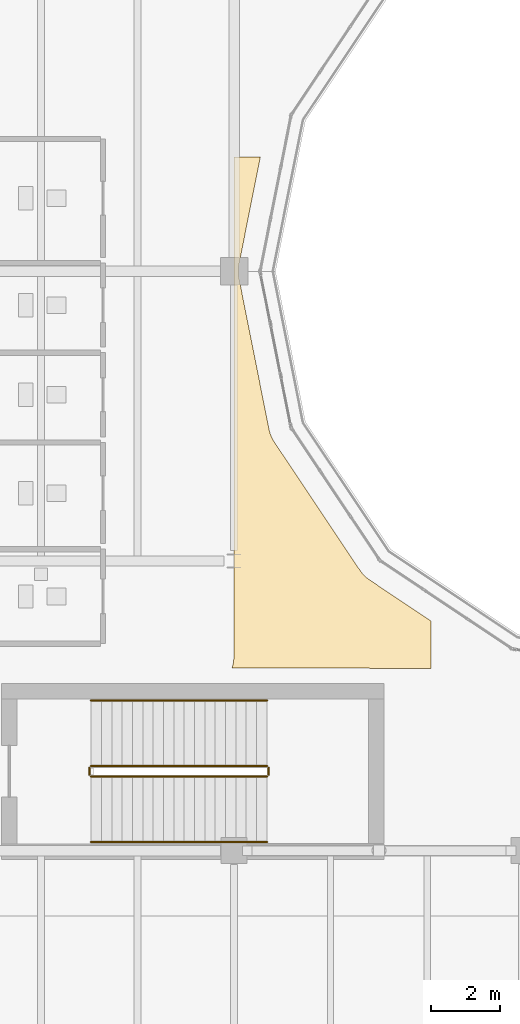
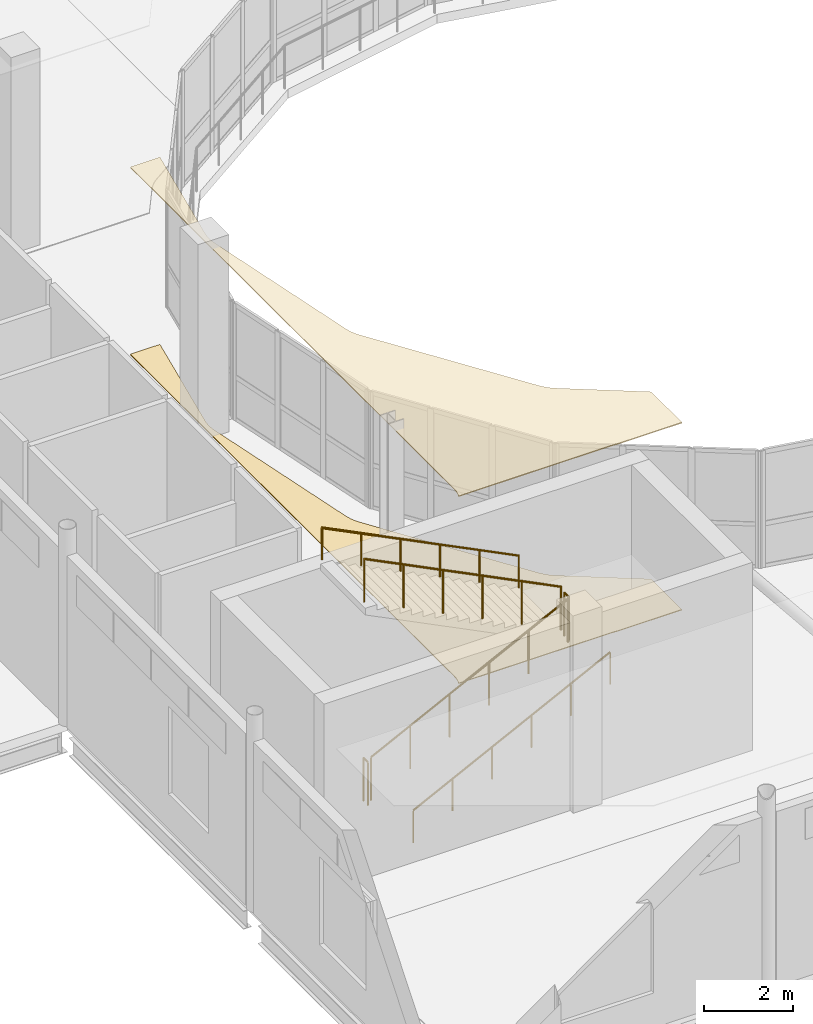
# One storey, part 87 of 110: 6 railings, 2 coverings.
"""IFC4 building model written with IfcOpenShell, lengths in metres."""

from ifc_helpers import new_model, si_unit, direction, frame, origin, origin_2d, place, context, subcontext, project, spatial, polyline, circle, outline, extrude, material, layer, layer_set, type_object, element, save


model = new_model("IFC4")

# Units and contexts
model_context = context("Model", 3, precision=1e-05, world=origin(), true_north=direction((0.0, 1.0)))
body_context = subcontext(model_context, "Body", "Model", "MODEL_VIEW")
ifc_project = project(units=[si_unit("LENGTHUNIT", "METRE"), si_unit("AREAUNIT", "SQUARE_METRE"), si_unit("VOLUMEUNIT", "CUBIC_METRE"), si_unit("PLANEANGLEUNIT", "RADIAN"), si_unit("MASSUNIT", "GRAM", prefix="KILO"), si_unit("THERMODYNAMICTEMPERATUREUNIT", "KELVIN")], contexts=[model_context])

# Site, building, storey
site_placement = place(None, origin())
site = spatial("IfcSite", under=ifc_project, at=site_placement, CompositionType="ELEMENT")
building_placement = place(site_placement, origin())
building = spatial("IfcBuilding", under=site, at=building_placement, Name="Lustrewick Department Store", CompositionType="ELEMENT")
storey_placement = place(building_placement, frame((0.0, 0.0, 6.0)))
storey = spatial("IfcBuildingStorey", under=building, at=storey_placement, Name="L02", CompositionType="ELEMENT", Elevation=6.0)

# Coverings
ifc_material_1 = material(Name="Perforated mineral-fibre acoustic ceiling board", Category="gypsum")
ifc_layer_1 = layer(ifc_material_1, 0.02490234375, Name="Perforated mineral-fibre acoustic ceiling board")
ifc_layer_set_1 = layer_set([ifc_layer_1], Name="Perforated mineral-fibre acoustic ceiling board")
covering_type_1 = type_object("IfcCoveringType", Name="COV-CEIL", PredefinedType="CEILING", material=ifc_layer_set_1)
covering_1_placement = place(storey_placement, frame((0.0, 0.0, 5.1201171875)))
element("IfcCovering", 1, at=covering_1_placement, inside=storey, type_object=covering_type_1, Name="L02 V1 Retail Merchandise Gallery 4 Acoustic Ceiling", PredefinedType="CEILING", context=body_context, shape_type="SweptSolid", body=[
    extrude(outline(polyline([(20.702880859375, 55.68994140625), (20.78759765625, 55.685791015625), (20.82666015625, 55.679931640625), (22.510009765625, 55.679931640625), (22.510009765625, 57.0576171875), (20.73828125, 58.241455078125), (20.705078125, 58.264892578125), (20.686767578125, 58.2783203125), (20.62109375, 58.332275390625), (20.603759765625, 58.34814453125), (20.548095703125, 58.40380859375), (20.5322265625, 58.421142578125), (20.478515625, 58.48681640625), (20.46484375, 58.5048828125), (20.44140625, 58.5380859375), (17.96923828125, 62.23828125), (17.94775390625, 62.272216796875), (17.936279296875, 62.29150390625), (17.896484375, 62.36572265625), (17.88623046875, 62.38720703125), (17.855224609375, 62.4619140625), (17.847412109375, 62.48388671875), (17.823486328125, 62.56298828125), (17.81787109375, 62.5849609375), (17.80859375, 62.625732421875), (16.9404296875, 66.990478515625), (16.93310546875, 67.0341796875), (16.9296875, 67.056396484375), (16.922119140625, 67.1337890625), (16.9208984375, 67.1572265625), (16.9208984375, 67.242919921875), (16.922119140625, 67.266357421875), (16.9296875, 67.343505859375), (16.93310546875, 67.36572265625), (16.9404296875, 67.40966796875), (17.55712890625, 70.510009765625), (16.7900390625, 70.510009765625), (16.7900390625, 55.9970703125), (16.785888671875, 55.912353515625), (16.773193359375, 55.828369140625), (16.772705078125, 55.824951171875), (16.768798828125, 55.8076171875), (16.768310546875, 55.80419921875), (16.74560546875, 55.721435546875), (16.7333984375, 55.68994140625), (20.702880859375, 55.68994140625)])), origin(), (0.0, 0.0, 1.0), 0.02490234375),
])
ifc_material_2 = material(Name="Polished terrazzo and porcelain floor finish", Category="masonry")
ifc_layer_2 = layer(ifc_material_2, 0.02001953125, Name="Polished terrazzo and porcelain floor finish")
ifc_layer_set_2 = layer_set([ifc_layer_2], Name="Polished terrazzo and porcelain floor finish")
covering_type_2 = type_object("IfcCoveringType", Name="COV-FLR", PredefinedType="FLOORING", material=ifc_layer_set_2)
covering_2_placement = place(storey_placement, origin())
element("IfcCovering", 2, at=covering_2_placement, inside=storey, type_object=covering_type_2, Name="L02 V1 Retail Merchandise Gallery 4 Terrazzo Flooring", PredefinedType="FLOORING", context=body_context, shape_type="SweptSolid", body=[
    extrude(outline(polyline([(20.702880859375, 55.68994140625), (20.78759765625, 55.685791015625), (20.82666015625, 55.679931640625), (22.510009765625, 55.679931640625), (22.510009765625, 57.0576171875), (20.73828125, 58.241455078125), (20.705078125, 58.264892578125), (20.686767578125, 58.2783203125), (20.62109375, 58.332275390625), (20.603759765625, 58.34814453125), (20.548095703125, 58.40380859375), (20.5322265625, 58.421142578125), (20.478515625, 58.48681640625), (20.46484375, 58.5048828125), (20.44140625, 58.5380859375), (17.96923828125, 62.23828125), (17.94775390625, 62.272216796875), (17.936279296875, 62.29150390625), (17.896484375, 62.36572265625), (17.88623046875, 62.38720703125), (17.855224609375, 62.4619140625), (17.847412109375, 62.48388671875), (17.823486328125, 62.56298828125), (17.81787109375, 62.5849609375), (17.80859375, 62.625732421875), (16.9404296875, 66.990478515625), (16.93310546875, 67.0341796875), (16.9296875, 67.056396484375), (16.922119140625, 67.1337890625), (16.9208984375, 67.1572265625), (16.9208984375, 67.242919921875), (16.922119140625, 67.266357421875), (16.9296875, 67.343505859375), (16.93310546875, 67.36572265625), (16.9404296875, 67.40966796875), (17.55712890625, 70.510009765625), (16.7900390625, 70.510009765625), (16.7900390625, 55.9970703125), (16.785888671875, 55.912353515625), (16.773193359375, 55.828369140625), (16.772705078125, 55.824951171875), (16.768798828125, 55.8076171875), (16.768310546875, 55.80419921875), (16.74560546875, 55.721435546875), (16.7333984375, 55.68994140625), (20.702880859375, 55.68994140625)])), origin(), (0.0, 0.0, 1.0), 0.02001953125),
])

# Railings
ifc_material_3 = material(Name="Painted tubular steel stairwell guardrail", Category="steel")
railing_type_1 = type_object("IfcRailingType", Name="RL-STG", PredefinedType="GUARDRAIL", material=ifc_material_3)
railing_1_placement = place(storey_placement, frame((12.64990234375, 52.550048828125, 0.14990234375)))
element("IfcRailing", 3, at=railing_1_placement, inside=storey, type_object=railing_type_1, Name="L02 ST01 Stair Guard 1", PredefinedType="GUARDRAIL", context=body_context, shape_type="SweptSolid", body=[
    extrude(circle(Radius=0.02392578125, at=origin_2d()), frame((0.0, 0.0, 1.17578125), z_axis=(0.894427191, 0.0, 0.4472135955), x_axis=(0.0, 1.0, 0.0)), (0.0, 0.0, 1.0), 5.7021484375),
    extrude(circle(Radius=0.02099609375, at=origin_2d()), origin(), (0.0, 0.0, 1.0), 1.15185546875),
    extrude(circle(Radius=0.02099609375, at=origin_2d()), frame((1.02001953125, 0.0, 0.510009765625)), (0.0, 0.0, 1.0), 1.15185546875),
    extrude(circle(Radius=0.02099609375, at=origin_2d()), frame((2.0400390625, 0.0, 1.02001953125)), (0.0, 0.0, 1.0), 1.15185546875),
    extrude(circle(Radius=0.02099609375, at=origin_2d()), frame((3.06005859375, 0.0, 1.530029296875)), (0.0, 0.0, 1.0), 1.15185546875),
    extrude(circle(Radius=0.02099609375, at=origin_2d()), frame((4.080078125, 0.0, 2.0400390625)), (0.0, 0.0, 1.0), 1.15185546875),
    extrude(circle(Radius=0.02099609375, at=origin_2d()), frame((5.10009765625, 0.0, 2.550048828125)), (0.0, 0.0, 1.0), 1.15185546875),
])
railing_2_placement = place(storey_placement, frame((17.800048828125, 52.60009765625, 2.699951171875)))
element("IfcRailing", 4, at=railing_2_placement, inside=storey, type_object=railing_type_1, Name="L02 ST01 Stair Guard 2", PredefinedType="GUARDRAIL", context=body_context, shape_type="SweptSolid", body=[
    extrude(circle(Radius=0.02392578125, at=origin_2d()), frame((0.0, 0.0, 1.17578125), z_axis=(0.0, 1.0, 0.0), x_axis=(-1.0, 0.0, 0.0)), (0.0, 0.0, 1.0), 0.199951171875),
    extrude(circle(Radius=0.02099609375, at=origin_2d()), origin(), (0.0, 0.0, 1.0), 1.15185546875),
    extrude(circle(Radius=0.02099609375, at=origin_2d()), frame((0.0, 0.199951171875, 0.0)), (0.0, 0.0, 1.0), 1.15185546875),
])
railing_3_placement = place(storey_placement, frame((17.75, 52.85009765625, 2.85009765625)))
element("IfcRailing", 5, at=railing_3_placement, inside=storey, type_object=railing_type_1, Name="L02 ST01 Stair Guard 3", PredefinedType="GUARDRAIL", context=body_context, shape_type="SweptSolid", body=[
    extrude(circle(Radius=0.02392578125, at=origin_2d()), frame((0.0, 0.0, 1.17578125), z_axis=(-0.89444431709, 0.0, 0.44717934168), x_axis=(0.0, -1.0, 0.0)), (0.0, 0.0, 1.0), 5.701904296875),
    extrude(circle(Radius=0.02099609375, at=origin_2d()), origin(), (0.0, 0.0, 1.0), 1.15185546875),
    extrude(circle(Radius=0.02099609375, at=origin_2d()), frame((-1.02001953125, 0.0, 0.510009765625)), (0.0, 0.0, 1.0), 1.15185546875),
    extrude(circle(Radius=0.02099609375, at=origin_2d()), frame((-2.0400390625, 0.0, 1.02001953125)), (0.0, 0.0, 1.0), 1.15185546875),
    extrude(circle(Radius=0.02099609375, at=origin_2d()), frame((-3.06005859375, 0.0, 1.52978515625)), (0.0, 0.0, 1.0), 1.15185546875),
    extrude(circle(Radius=0.02099609375, at=origin_2d()), frame((-4.080078125, 0.0, 2.039794921875)), (0.0, 0.0, 1.0), 1.15185546875),
    extrude(circle(Radius=0.02099609375, at=origin_2d()), frame((-5.10009765625, 0.0, 2.5498046875)), (0.0, 0.0, 1.0), 1.15185546875),
])
railing_4_placement = place(storey_placement, frame((12.60009765625, 52.60009765625, 0.0)))
element("IfcRailing", 6, at=railing_4_placement, inside=storey, type_object=railing_type_1, Name="L02 ST01 Stair Guard 4", PredefinedType="GUARDRAIL", context=body_context, shape_type="SweptSolid", body=[
    extrude(circle(Radius=0.02392578125, at=origin_2d()), frame((0.0, 0.0, 1.17578125), z_axis=(0.0, 1.0, 0.0), x_axis=(-1.0, 0.0, 0.0)), (0.0, 0.0, 1.0), 0.199951171875),
    extrude(circle(Radius=0.02099609375, at=origin_2d()), origin(), (0.0, 0.0, 1.0), 1.15185546875),
    extrude(circle(Radius=0.02099609375, at=origin_2d()), frame((0.0, 0.199951171875, 0.0)), (0.0, 0.0, 1.0), 1.15185546875),
])
ifc_material_4 = material(Name="Brushed stainless steel wall handrail", Category="steel")
railing_type_2 = type_object("IfcRailingType", Name="RL-STH", PredefinedType="HANDRAIL", material=ifc_material_4)
railing_5_placement = place(storey_placement, frame((12.64990234375, 50.64990234375, 0.14990234375)))
element("IfcRailing", 7, at=railing_5_placement, inside=storey, type_object=railing_type_2, Name="L02 ST01 Stair Handrail 1", PredefinedType="HANDRAIL", context=body_context, shape_type="SweptSolid", body=[
    extrude(circle(Radius=0.02392578125, at=origin_2d()), frame((0.0, 0.0, 0.8759765625), z_axis=(0.894427191, 0.0, 0.4472135955), x_axis=(0.0, 1.0, 0.0)), (0.0, 0.0, 1.0), 5.7021484375),
    extrude(circle(Radius=0.02099609375, at=origin_2d()), origin(), (0.0, 0.0, 1.0), 0.851806640625),
    extrude(circle(Radius=0.02099609375, at=origin_2d()), frame((1.02001953125, 0.0, 0.510009765625)), (0.0, 0.0, 1.0), 0.851806640625),
    extrude(circle(Radius=0.02099609375, at=origin_2d()), frame((2.0400390625, 0.0, 1.02001953125)), (0.0, 0.0, 1.0), 0.851806640625),
    extrude(circle(Radius=0.02099609375, at=origin_2d()), frame((3.06005859375, 0.0, 1.530029296875)), (0.0, 0.0, 1.0), 0.851806640625),
    extrude(circle(Radius=0.02099609375, at=origin_2d()), frame((4.080078125, 0.0, 2.0400390625)), (0.0, 0.0, 1.0), 0.851806640625),
    extrude(circle(Radius=0.02099609375, at=origin_2d()), frame((5.10009765625, 0.0, 2.550048828125)), (0.0, 0.0, 1.0), 0.851806640625),
])
railing_6_placement = place(storey_placement, frame((17.75, 54.75, 2.85009765625)))
element("IfcRailing", 8, at=railing_6_placement, inside=storey, type_object=railing_type_2, Name="L02 ST01 Stair Handrail 2", PredefinedType="HANDRAIL", context=body_context, shape_type="SweptSolid", body=[
    extrude(circle(Radius=0.02392578125, at=origin_2d()), frame((0.0, 0.0, 0.8759765625), z_axis=(-0.89444431709, 0.0, 0.44717934168), x_axis=(0.0, -1.0, 0.0)), (0.0, 0.0, 1.0), 5.701904296875),
    extrude(circle(Radius=0.02099609375, at=origin_2d()), origin(), (0.0, 0.0, 1.0), 0.851806640625),
    extrude(circle(Radius=0.02099609375, at=origin_2d()), frame((-1.02001953125, 0.0, 0.510009765625)), (0.0, 0.0, 1.0), 0.851806640625),
    extrude(circle(Radius=0.02099609375, at=origin_2d()), frame((-2.0400390625, 0.0, 1.02001953125)), (0.0, 0.0, 1.0), 0.851806640625),
    extrude(circle(Radius=0.02099609375, at=origin_2d()), frame((-3.06005859375, 0.0, 1.52978515625)), (0.0, 0.0, 1.0), 0.851806640625),
    extrude(circle(Radius=0.02099609375, at=origin_2d()), frame((-4.080078125, 0.0, 2.039794921875)), (0.0, 0.0, 1.0), 0.851806640625),
    extrude(circle(Radius=0.02099609375, at=origin_2d()), frame((-5.10009765625, 0.0, 2.5498046875)), (0.0, 0.0, 1.0), 0.851806640625),
])

save(model, "model.ifc")
